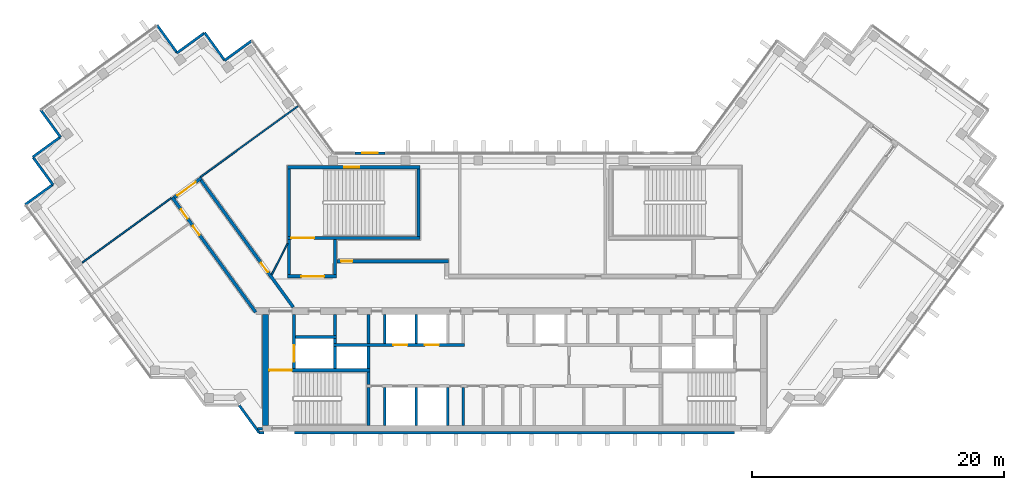
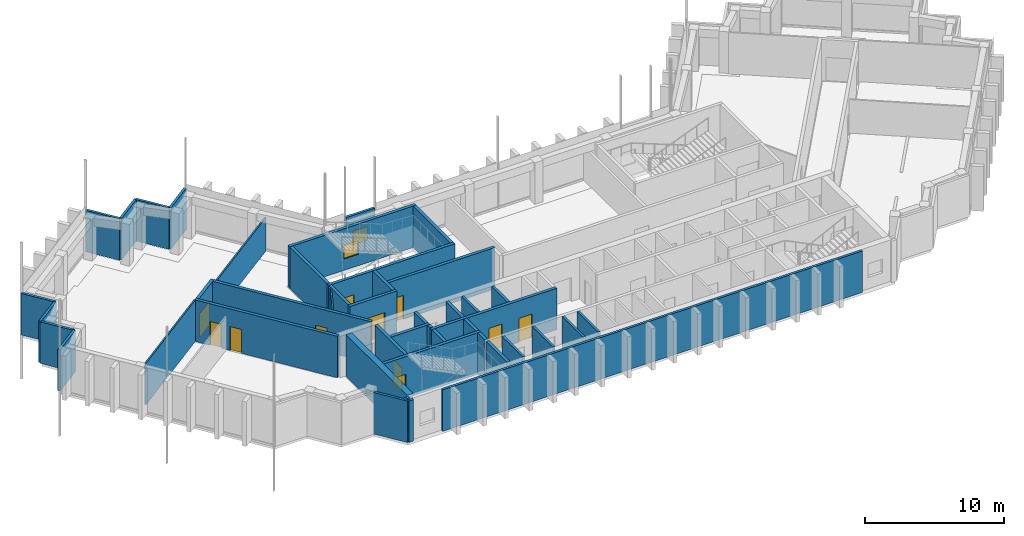
# One storey, part 8 of 14: 45 walls, 11 doors, 2 windows, 13 openings.
"""IFC4 building model written with IfcOpenShell, lengths in metres."""

from ifc_helpers import new_model, si_unit, direction, frame, frame_2d, origin, place, context, subcontext, project, spatial, rectangle, extrude, material, layer, layer_set, type_object, element, fill, save


model = new_model("IFC4")

# Units and contexts
model_context = context("Model", 3, precision=1e-05, world=origin(), true_north=direction((0.0, 1.0)))
body_context = subcontext(model_context, "Body", "Model", "MODEL_VIEW")
ifc_project = project(units=[si_unit("LENGTHUNIT", "METRE"), si_unit("AREAUNIT", "SQUARE_METRE"), si_unit("VOLUMEUNIT", "CUBIC_METRE"), si_unit("PLANEANGLEUNIT", "RADIAN"), si_unit("MASSUNIT", "GRAM", prefix="KILO")], contexts=[model_context])

# Site, building, storey
site_placement = place(None, origin())
site = spatial("IfcSite", under=ifc_project, at=site_placement, CompositionType="ELEMENT")
building_placement = place(site_placement, origin())
building = spatial("IfcBuilding", under=site, at=building_placement, Name="Quipu Civic Tower", CompositionType="ELEMENT")
storey_placement = place(building_placement, frame((0.0, 0.0, 323.0)))
storey = spatial("IfcBuildingStorey", under=building, at=storey_placement, Name="L75", CompositionType="ELEMENT", Elevation=323.0)

# Walls
ifc_material_1 = material(Name="Concrete C70/85", Category="concrete")
ifc_layer_1 = layer(ifc_material_1, 0.25)
ifc_layer_set_1 = layer_set([ifc_layer_1], Name="Concrete C70/85")
wall_type_1 = type_object("IfcWallType", Name="Core wall 250", PredefinedType="SHEAR", material=ifc_layer_set_1)
wall_1_placement = place(storey_placement, frame((-11.574951171875, -10.5, 0.0), z_axis=(0.0, 0.0, 1.0), x_axis=(0.0, 1.0, 0.0)))
element("IfcWall", 1, at=wall_1_placement, inside=storey, type_object=wall_type_1, Name="Core wall", PredefinedType="SHEAR", context=body_context, shape_type="SweptSolid", body=[
    extrude(rectangle(XDim=3.0, YDim=0.25, at=frame_2d((1.5, 0.0))), origin(), (0.0, 0.0, 1.0), 3.64990234375),
])
wall_2_placement = place(storey_placement, frame((-11.574951171875, -7.25, 0.0), z_axis=(0.0, 0.0, 1.0), x_axis=(0.0, 1.0, 0.0)))
element("IfcWall", 2, at=wall_2_placement, inside=storey, type_object=wall_type_1, Name="Core wall", PredefinedType="SHEAR", context=body_context, shape_type="SweptSolid", body=[
    extrude(rectangle(XDim=1.0, YDim=0.25, at=frame_2d((0.5, 0.0))), origin(), (0.0, 0.0, 1.0), 3.64990234375),
])

# Wall, opening, door
wall_3_placement = place(storey_placement, frame((-11.449951171875, -6.125, 0.0), z_axis=(0.0, 0.0, 1.0), x_axis=(-1.0, 0.0, 0.0)))
wall_3 = element("IfcWall", 3, at=wall_3_placement, inside=storey, type_object=wall_type_1, Name="Core wall", PredefinedType="SHEAR", context=body_context, shape_type="SweptSolid", body=[
    extrude(rectangle(XDim=8.050048828125, YDim=0.25, at=frame_2d((4.02490234375, 0.0))), origin(), (0.0, 0.0, 1.0), 3.64990234375),
])
opening_1_placement = place(wall_3_placement, frame((6.199951171875, 0.0, 0.0)))
opening_1 = element("IfcOpeningElement", 4, at=opening_1_placement, cuts=wall_3, Name="Opening CD-10", PredefinedType="OPENING", context=body_context, shape_type="SweptSolid", body=[
    extrude(rectangle(XDim=1.800048828125, YDim=2.10009765625, at=frame_2d((0.89990234375, 1.050048828125))), frame((0.0, 0.135009765625, 0.0), z_axis=(0.0, -1.0, 0.0), x_axis=(1.0, 0.0, 0.0)), (0.0, 0.0, 1.0), 0.27001953125),
])
ifc_material_2 = material(Name="Fire rated steel door", Category="steel")
door_type_1 = type_object("IfcDoorType", Name="Fire door FD90 double 1800 x 2100", OperationType="NOTDEFINED", PredefinedType="DOOR", material=ifc_material_2)
door_1_placement = place(opening_1_placement, origin())
door_1 = element("IfcDoor", 5, at=door_1_placement, inside=storey, type_object=door_type_1, Name="Door", OperationType="DOUBLE_DOOR_SINGLE_SWING", OverallHeight=2.10009765625, OverallWidth=1.800048828125, PredefinedType="DOOR", context=body_context, shape_type="SweptSolid", body=[
    extrude(rectangle(XDim=1.800048828125, YDim=2.10009765625, at=frame_2d((0.89990234375, 1.050048828125))), frame((0.0, 0.02490234375, 0.0), z_axis=(0.0, -1.0, 0.0), x_axis=(1.0, 0.0, 0.0)), (0.0, 0.0, 1.0), 0.050048828125),
])
fill(opening_1, door_1)

wall_4_placement = place(storey_placement, frame((-17.47509765625, -6.0, 0.0), z_axis=(0.0, 0.0, 1.0), x_axis=(0.0, 1.0, 0.0)))
wall_4 = element("IfcWall", 6, at=wall_4_placement, inside=storey, type_object=wall_type_1, Name="Core wall", PredefinedType="SHEAR", context=body_context, shape_type="SweptSolid", body=[
    extrude(rectangle(XDim=4.300048828125, YDim=0.25, at=frame_2d((2.14990234375, 0.0))), origin(), (0.0, 0.0, 1.0), 3.64990234375),
])
opening_2_placement = place(wall_4_placement, frame((0.550048828125, 0.0, 0.0)))
opening_2 = element("IfcOpeningElement", 7, at=opening_2_placement, cuts=wall_4, Name="Opening LD-FF1", PredefinedType="OPENING", context=body_context, shape_type="SweptSolid", body=[
    extrude(rectangle(XDim=1.300048828125, YDim=2.10009765625, at=frame_2d((0.64990234375, 1.050048828125))), frame((0.0, 0.135009765625, 0.0), z_axis=(0.0, -1.0, 0.0), x_axis=(1.0, 0.0, 0.0)), (0.0, 0.0, 1.0), 0.27001953125),
])
ifc_material_3 = material(Name="Stainless steel", Category="steel")
door_type_2 = type_object("IfcDoorType", Name="Lift landing door 1300 x 2100", OperationType="DOUBLE_DOOR_SLIDING", PredefinedType="DOOR", material=ifc_material_3)
door_2_placement = place(opening_2_placement, origin())
door_2 = element("IfcDoor", 8, at=door_2_placement, inside=storey, type_object=door_type_2, Name="Landing door FF1", OperationType="DOUBLE_DOOR_SLIDING", OverallHeight=2.10009765625, OverallWidth=1.300048828125, PredefinedType="DOOR", context=body_context, shape_type="SweptSolid", body=[
    extrude(rectangle(XDim=1.300048828125, YDim=2.10009765625, at=frame_2d((0.64990234375, 1.050048828125))), frame((0.0, 0.02490234375, 0.0), z_axis=(0.0, -1.0, 0.0), x_axis=(1.0, 0.0, 0.0)), (0.0, 0.0, 1.0), 0.050048828125),
])
fill(opening_2, door_2)

# Walls
for number, where, z_axis, x_axis, name in (
    (9, (-14.22509765625, -6.0, 0.0), (0.0, 0.0, 1.0), (0.0, 1.0, 0.0), "Core wall"),
    (10, (-11.574951171875, -6.0, 0.0), (0.0, 0.0, 1.0), (0.0, 1.0, 0.0), "Core wall"),
):
    element("IfcWall", number, at=place(storey_placement, frame(where, z_axis=z_axis, x_axis=x_axis)), inside=storey, type_object=wall_type_1, Name=name, PredefinedType="SHEAR", context=body_context, shape_type="SweptSolid", body=[
        extrude(rectangle(XDim=1.75, YDim=0.25, at=frame_2d((0.875, 0.0))), origin(), (0.0, 0.0, 1.0), 3.64990234375),
    ])

# Wall, openings, doors
wall_5_placement = place(storey_placement, frame((-14.35009765625, -4.125, 0.0), z_axis=(0.0, 0.0, 1.0), x_axis=(1.0, 0.0, 0.0)))
wall_5 = element("IfcWall", 11, at=wall_5_placement, inside=storey, type_object=wall_type_1, Name="Core wall", PredefinedType="SHEAR", context=body_context, shape_type="SweptSolid", body=[
    extrude(rectangle(XDim=10.400146484375, YDim=0.25, at=frame_2d((5.2001953125, 0.0))), origin(), (0.0, 0.0, 1.0), 3.64990234375),
])
opening_3_placement = place(wall_5_placement, frame((4.75, 0.0, 0.0)))
opening_3 = element("IfcOpeningElement", 12, at=opening_3_placement, cuts=wall_5, Name="Opening LD-HL3", PredefinedType="OPENING", context=body_context, shape_type="SweptSolid", body=[
    extrude(rectangle(XDim=1.10009765625, YDim=2.10009765625, at=frame_2d((0.550048828125, 1.050048828125))), frame((0.0, 0.135009765625, 0.0), z_axis=(0.0, -1.0, 0.0), x_axis=(1.0, 0.0, 0.0)), (0.0, 0.0, 1.0), 0.27001953125),
])
opening_4_placement = place(wall_5_placement, frame((7.25, 0.0, 0.0)))
opening_4 = element("IfcOpeningElement", 13, at=opening_4_placement, cuts=wall_5, Name="Opening LD-HL4", PredefinedType="OPENING", context=body_context, shape_type="SweptSolid", body=[
    extrude(rectangle(XDim=1.10009765625, YDim=2.10009765625, at=frame_2d((0.550048828125, 1.050048828125))), frame((0.0, 0.135009765625, 0.0), z_axis=(0.0, -1.0, 0.0), x_axis=(1.0, 0.0, 0.0)), (0.0, 0.0, 1.0), 0.27001953125),
])
ifc_material_4 = material(Name="Stainless steel", Category="steel")
door_type_3 = type_object("IfcDoorType", Name="Lift landing door 1100 x 2100", OperationType="DOUBLE_DOOR_SLIDING", PredefinedType="DOOR", material=ifc_material_4)
door_3_placement = place(opening_3_placement, origin())
door_3 = element("IfcDoor", 14, at=door_3_placement, inside=storey, type_object=door_type_3, Name="Landing door HL3", OperationType="DOUBLE_DOOR_SLIDING", OverallHeight=2.10009765625, OverallWidth=1.10009765625, PredefinedType="DOOR", context=body_context, shape_type="SweptSolid", body=[
    extrude(rectangle(XDim=1.10009765625, YDim=2.10009765625, at=frame_2d((0.550048828125, 1.050048828125))), frame((0.0, 0.02490234375, 0.0), z_axis=(0.0, -1.0, 0.0), x_axis=(1.0, 0.0, 0.0)), (0.0, 0.0, 1.0), 0.050048828125),
])
fill(opening_3, door_3)
door_4_placement = place(opening_4_placement, origin())
door_4 = element("IfcDoor", 15, at=door_4_placement, inside=storey, type_object=door_type_3, Name="Landing door HL4", OperationType="DOUBLE_DOOR_SLIDING", OverallHeight=2.10009765625, OverallWidth=1.10009765625, PredefinedType="DOOR", context=body_context, shape_type="SweptSolid", body=[
    extrude(rectangle(XDim=1.10009765625, YDim=2.10009765625, at=frame_2d((0.550048828125, 1.050048828125))), frame((0.0, 0.02490234375, 0.0), z_axis=(0.0, -1.0, 0.0), x_axis=(1.0, 0.0, 0.0)), (0.0, 0.0, 1.0), 0.050048828125),
])
fill(opening_4, door_4)

# Walls
wall_6_placement = place(storey_placement, frame((-14.22509765625, -4.0, 0.0), z_axis=(0.0, 0.0, 1.0), x_axis=(0.0, 1.0, 0.0)))
element("IfcWall", 16, at=wall_6_placement, inside=storey, type_object=wall_type_1, Name="Core wall", PredefinedType="SHEAR", context=body_context, shape_type="SweptSolid", body=[
    extrude(rectangle(XDim=0.39990234375, YDim=0.25, at=frame_2d((0.199951171875, 0.0))), origin(), (0.0, 0.0, 1.0), 3.64990234375),
])
wall_7_placement = place(storey_placement, frame((-11.574951171875, -4.0, 0.0), z_axis=(0.0, 0.0, 1.0), x_axis=(0.0, 1.0, 0.0)))
element("IfcWall", 17, at=wall_7_placement, inside=storey, type_object=wall_type_1, Name="Core wall", PredefinedType="SHEAR", context=body_context, shape_type="SweptSolid", body=[
    extrude(rectangle(XDim=2.300048828125, YDim=0.25, at=frame_2d((1.14990234375, 0.0))), origin(), (0.0, 0.0, 1.0), 3.64990234375),
])
wall_8_placement = place(storey_placement, frame((-17.35009765625, -3.47509765625, 0.0), z_axis=(0.0, 0.0, 1.0), x_axis=(1.0, 0.0, 0.0)))
element("IfcWall", 18, at=wall_8_placement, inside=storey, type_object=wall_type_1, Name="Core wall", PredefinedType="SHEAR", context=body_context, shape_type="SweptSolid", body=[
    extrude(rectangle(XDim=3.25, YDim=0.25, at=frame_2d((1.625, 0.0))), origin(), (0.0, 0.0, 1.0), 3.64990234375),
])
wall_9_placement = place(storey_placement, frame((-14.22509765625, -3.35009765625, 0.0), z_axis=(0.0, 0.0, 1.0), x_axis=(0.0, 1.0, 0.0)))
element("IfcWall", 19, at=wall_9_placement, inside=storey, type_object=wall_type_1, Name="Core wall", PredefinedType="SHEAR", context=body_context, shape_type="SweptSolid", body=[
    extrude(rectangle(XDim=1.650146484375, YDim=0.25, at=frame_2d((0.8251953125, 0.0))), origin(), (0.0, 0.0, 1.0), 3.64990234375),
])

# Wall, opening, door
wall_10_placement = place(storey_placement, frame((-18.0, 1.324951171875, 0.0), z_axis=(0.0, 0.0, 1.0), x_axis=(1.0, 0.0, 0.0)))
wall_10 = element("IfcWall", 20, at=wall_10_placement, inside=storey, type_object=wall_type_1, Name="Core wall", PredefinedType="SHEAR", context=body_context, shape_type="SweptSolid", body=[
    extrude(rectangle(XDim=3.89990234375, YDim=0.25, at=frame_2d((1.949951171875, 0.0))), origin(), (0.0, 0.0, 1.0), 3.64990234375),
])
opening_5_placement = place(wall_10_placement, frame((1.10009765625, 0.0, 0.0)))
opening_5 = element("IfcOpeningElement", 21, at=opening_5_placement, cuts=wall_10, Name="Opening CD-28", PredefinedType="OPENING", context=body_context, shape_type="SweptSolid", body=[
    extrude(rectangle(XDim=1.800048828125, YDim=2.10009765625, at=frame_2d((0.89990234375, 1.050048828125))), frame((0.0, 0.135009765625, 0.0), z_axis=(0.0, -1.0, 0.0), x_axis=(1.0, 0.0, 0.0)), (0.0, 0.0, 1.0), 0.27001953125),
])
door_5_placement = place(opening_5_placement, origin())
door_5 = element("IfcDoor", 22, at=door_5_placement, inside=storey, type_object=door_type_1, Name="Lobby door", OperationType="DOUBLE_DOOR_SINGLE_SWING", OverallHeight=2.10009765625, OverallWidth=1.800048828125, PredefinedType="DOOR", context=body_context, shape_type="SweptSolid", body=[
    extrude(rectangle(XDim=1.800048828125, YDim=2.10009765625, at=frame_2d((0.89990234375, 1.050048828125))), frame((0.0, 0.02490234375, 0.0), z_axis=(0.0, -1.0, 0.0), x_axis=(1.0, 0.0, 0.0)), (0.0, 0.0, 1.0), 0.050048828125),
])
fill(opening_5, door_5)

# Walls
for number, where, z_axis, x_axis, name in (
    (23, (-17.875, 1.449951171875, 0.0), (0.0, 0.0, 1.0), (0.0, 1.0, 0.0), "Core wall"),
    (24, (-14.22509765625, 1.449951171875, 0.0), (0.0, 0.0, 1.0), (0.0, 1.0, 0.0), "Core wall"),
):
    element("IfcWall", number, at=place(storey_placement, frame(where, z_axis=z_axis, x_axis=x_axis)), inside=storey, type_object=wall_type_1, Name=name, PredefinedType="SHEAR", context=body_context, shape_type="SweptSolid", body=[
        extrude(rectangle(XDim=2.800048828125, YDim=0.25, at=frame_2d((1.39990234375, 0.0))), origin(), (0.0, 0.0, 1.0), 3.64990234375),
    ])

# Wall, opening, door
wall_11_placement = place(storey_placement, frame((-18.0, 4.375, 0.0), z_axis=(0.0, 0.0, 1.0), x_axis=(1.0, 0.0, 0.0)))
wall_11 = element("IfcWall", 25, at=wall_11_placement, inside=storey, type_object=wall_type_1, Name="Core wall", PredefinedType="SHEAR", context=body_context, shape_type="SweptSolid", body=[
    extrude(rectangle(XDim=10.5, YDim=0.25, at=frame_2d((5.25, 0.0))), origin(), (0.0, 0.0, 1.0), 3.64990234375),
])
opening_6_placement = place(wall_11_placement, frame((0.300048828125, 0.0, 0.0)))
opening_6 = element("IfcOpeningElement", 26, at=opening_6_placement, cuts=wall_11, Name="Opening CD-29", PredefinedType="OPENING", context=body_context, shape_type="SweptSolid", body=[
    extrude(rectangle(XDim=1.800048828125, YDim=2.10009765625, at=frame_2d((0.89990234375, 1.050048828125))), frame((0.0, 0.135009765625, 0.0), z_axis=(0.0, -1.0, 0.0), x_axis=(1.0, 0.0, 0.0)), (0.0, 0.0, 1.0), 0.27001953125),
])
door_6_placement = place(opening_6_placement, origin())
door_6 = element("IfcDoor", 27, at=door_6_placement, inside=storey, type_object=door_type_1, Name="Door", OperationType="DOUBLE_DOOR_SINGLE_SWING", OverallHeight=2.10009765625, OverallWidth=1.800048828125, PredefinedType="DOOR", context=body_context, shape_type="SweptSolid", body=[
    extrude(rectangle(XDim=1.800048828125, YDim=2.10009765625, at=frame_2d((0.89990234375, 1.050048828125))), frame((0.0, 0.02490234375, 0.0), z_axis=(0.0, -1.0, 0.0), x_axis=(1.0, 0.0, 0.0)), (0.0, 0.0, 1.0), 0.050048828125),
])
fill(opening_6, door_6)

# Walls
for number, where, z_axis, x_axis, name in (
    (28, (-17.875, 4.5, 0.0), (0.0, 0.0, 1.0), (0.0, 1.0, 0.0), "Core wall"),
    (29, (-7.625, 4.5, 0.0), (0.0, 0.0, 1.0), (0.0, 1.0, 0.0), "Core wall"),
):
    element("IfcWall", number, at=place(storey_placement, frame(where, z_axis=z_axis, x_axis=x_axis)), inside=storey, type_object=wall_type_1, Name=name, PredefinedType="SHEAR", context=body_context, shape_type="SweptSolid", body=[
        extrude(rectangle(XDim=5.35009765625, YDim=0.25, at=frame_2d((2.675048828125, 0.0))), origin(), (0.0, 0.0, 1.0), 3.64990234375),
    ])

# Wall, opening, window
wall_12_placement = place(storey_placement, frame((-18.0, 9.97509765625, 0.0), z_axis=(0.0, 0.0, 1.0), x_axis=(1.0, 0.0, 0.0)))
wall_12 = element("IfcWall", 30, at=wall_12_placement, inside=storey, type_object=wall_type_1, Name="Core wall", PredefinedType="SHEAR", context=body_context, shape_type="SweptSolid", body=[
    extrude(rectangle(XDim=10.5, YDim=0.25, at=frame_2d((5.25, 0.0))), origin(), (0.0, 0.0, 1.0), 3.64990234375),
])
opening_7_placement = place(wall_12_placement, frame((4.5, 0.0, 1.0)))
opening_7 = element("IfcOpeningElement", 31, at=opening_7_placement, cuts=wall_12, Name="Opening SV-3", PredefinedType="OPENING", context=body_context, shape_type="SweptSolid", body=[
    extrude(rectangle(XDim=1.199951171875, YDim=1.199951171875, at=frame_2d((0.60009765625, 0.60009765625))), frame((0.0, 0.135009765625, 0.0), z_axis=(0.0, -1.0, 0.0), x_axis=(1.0, 0.0, 0.0)), (0.0, 0.0, 1.0), 0.27001953125),
])
ifc_material_5 = material(Name="Aluminium louvre", Category="aluminium")
window_type_1 = type_object("IfcWindowType", Name="Stair ventilation louvre 1200 x 1200", PartitioningType="SINGLE_PANEL", PredefinedType="WINDOW", material=ifc_material_5)
window_1_placement = place(opening_7_placement, origin())
window_1 = element("IfcWindow", 32, at=window_1_placement, inside=storey, type_object=window_type_1, Name="Stair ventilation opening", OverallHeight=1.199951171875, OverallWidth=1.199951171875, PartitioningType="SINGLE_PANEL", PredefinedType="WINDOW", context=body_context, shape_type="SweptSolid", body=[
    extrude(rectangle(XDim=1.199951171875, YDim=1.199951171875, at=frame_2d((0.60009765625, 0.60009765625))), frame((0.0, 0.030029296875, 0.0), z_axis=(0.0, -1.0, 0.0), x_axis=(1.0, 0.0, 0.0)), (0.0, 0.0, 1.0), 0.06005859375),
])
fill(opening_7, window_1)

# Wall
ifc_material_6 = material(Name="Concrete C70/85", Category="concrete")
ifc_layer_2 = layer(ifc_material_6, 0.5)
ifc_layer_set_2 = layer_set([ifc_layer_2], Name="Concrete C70/85")
wall_type_2 = type_object("IfcWallType", Name="Core wall 500", PredefinedType="SHEAR", material=ifc_layer_set_2)
wall_13_placement = place(storey_placement, frame((-19.75, -10.5, 0.0), z_axis=(0.0, 0.0, 1.0), x_axis=(0.0, 1.0, 0.0)))
element("IfcWall", 33, at=wall_13_placement, inside=storey, type_object=wall_type_2, Name="Core wall", PredefinedType="SHEAR", context=body_context, shape_type="SweptSolid", body=[
    extrude(rectangle(XDim=8.800048828125, YDim=0.5, at=frame_2d((4.39990234375, 0.0))), origin(), (0.0, 0.0, 1.0), 3.64990234375),
])

# Wall, openings, doors
ifc_material_7 = material(Name="Concrete C50/60", Category="concrete")
ifc_layer_3 = layer(ifc_material_7, 0.25)
ifc_layer_set_3 = layer_set([ifc_layer_3], Name="Concrete C50/60")
wall_type_3 = type_object("IfcWallType", Name="Corridor wall 250 concrete", PredefinedType="SOLIDWALL", material=ifc_layer_set_3)
wall_14_placement = place(storey_placement, frame((-20.531005859375, -1.5234375, 0.0), z_axis=(0.0, 0.0, 1.0), x_axis=(-0.587782646447, 0.809018887626, 0.0)))
wall_14 = element("IfcWall", 34, at=wall_14_placement, inside=storey, type_object=wall_type_3, Name="Corridor wall C04", PredefinedType="SOLIDWALL", context=body_context, shape_type="SweptSolid", body=[
    extrude(rectangle(XDim=11.270263671875, YDim=0.25, at=frame_2d((5.63525390625, 0.0))), origin(), (0.0, 0.0, 1.0), 3.64990234375),
])
opening_8_placement = place(wall_14_placement, frame((7.56591796875, 0.0, 0.0)))
opening_8 = element("IfcOpeningElement", 35, at=opening_8_placement, cuts=wall_14, Name="Opening D010", PredefinedType="OPENING", context=body_context, shape_type="SweptSolid", body=[
    extrude(rectangle(XDim=0.89990234375, YDim=2.10009765625, at=frame_2d((0.449951171875, 1.050048828125))), frame((0.0, 0.135009765625, 0.0), z_axis=(0.0, -1.0, 0.0), x_axis=(1.0, 0.0, 0.0)), (0.0, 0.0, 1.0), 0.27001953125),
])
opening_9_placement = place(wall_14_placement, frame((9.165283203125, 0.0, 0.0)))
opening_9 = element("IfcOpeningElement", 36, at=opening_9_placement, cuts=wall_14, Name="Opening D009", PredefinedType="OPENING", context=body_context, shape_type="SweptSolid", body=[
    extrude(rectangle(XDim=0.89990234375, YDim=2.10009765625, at=frame_2d((0.449951171875, 1.050048828125))), frame((0.0, 0.135009765625, 0.0), z_axis=(0.0, -1.0, 0.0), x_axis=(1.0, 0.0, 0.0)), (0.0, 0.0, 1.0), 0.27001953125),
])
ifc_material_8 = material(Name="Fire rated timber door set with metal frame", Category="wood")
door_type_4 = type_object("IfcDoorType", Name="Single door 900 x 2100 FD60", OperationType="NOTDEFINED", PredefinedType="DOOR", material=ifc_material_8)
door_7_placement = place(opening_8_placement, origin())
door_7 = element("IfcDoor", 37, at=door_7_placement, inside=storey, type_object=door_type_4, Name="Door D010", OperationType="SINGLE_SWING_RIGHT", OverallHeight=2.10009765625, OverallWidth=0.89990234375, PredefinedType="DOOR", context=body_context, shape_type="SweptSolid", body=[
    extrude(rectangle(XDim=0.89990234375, YDim=2.10009765625, at=frame_2d((0.449951171875, 1.050048828125))), frame((0.0, 0.02490234375, 0.0), z_axis=(0.0, -1.0, 0.0), x_axis=(1.0, 0.0, 0.0)), (0.0, 0.0, 1.0), 0.050048828125),
])
fill(opening_8, door_7)
door_8_placement = place(opening_9_placement, origin())
door_8 = element("IfcDoor", 38, at=door_8_placement, inside=storey, type_object=door_type_4, Name="Door D009", OperationType="SINGLE_SWING_LEFT", OverallHeight=2.10009765625, OverallWidth=0.89990234375, PredefinedType="DOOR", context=body_context, shape_type="SweptSolid", body=[
    extrude(rectangle(XDim=0.89990234375, YDim=2.10009765625, at=frame_2d((0.449951171875, 1.050048828125))), frame((0.0, 0.02490234375, 0.0), z_axis=(0.0, -1.0, 0.0), x_axis=(1.0, 0.0, 0.0)), (0.0, 0.0, 1.0), 0.050048828125),
])
fill(opening_9, door_8)

# Wall, opening, door
wall_15_placement = place(storey_placement, frame((-26.98095703125, 7.56689453125, 0.0), z_axis=(0.0, 0.0, 1.0), x_axis=(0.809038743598, 0.587755315891, 0.0)))
wall_15 = element("IfcWall", 39, at=wall_15_placement, inside=storey, type_object=wall_type_3, Name="Corridor wall C05", PredefinedType="SOLIDWALL", context=body_context, shape_type="SweptSolid", body=[
    extrude(rectangle(XDim=2.650146484375, YDim=0.25, at=frame_2d((1.3251953125, 0.0))), origin(), (0.0, 0.0, 1.0), 3.64990234375),
])
opening_10_placement = place(wall_15_placement, frame((0.299560546875, 0.0, 0.0)))
opening_10 = element("IfcOpeningElement", 40, at=opening_10_placement, cuts=wall_15, Name="Opening D011", PredefinedType="OPENING", context=body_context, shape_type="SweptSolid", body=[
    extrude(rectangle(XDim=1.800048828125, YDim=2.10009765625, at=frame_2d((0.89990234375, 1.050048828125))), frame((0.0, 0.135009765625, 0.0), z_axis=(0.0, -1.0, 0.0), x_axis=(1.0, 0.0, 0.0)), (0.0, 0.0, 1.0), 0.27001953125),
])
ifc_material_9 = material(Name="Fire rated timber door set with metal frame", Category="wood")
door_type_5 = type_object("IfcDoorType", Name="Double door 1800 x 2100 FD60", OperationType="DOUBLE_DOOR_SINGLE_SWING", PredefinedType="DOOR", material=ifc_material_9)
door_9_placement = place(opening_10_placement, origin())
door_9 = element("IfcDoor", 41, at=door_9_placement, inside=storey, type_object=door_type_5, Name="Door D011", OperationType="DOUBLE_DOOR_SINGLE_SWING", OverallHeight=2.10009765625, OverallWidth=1.800048828125, PredefinedType="DOOR", context=body_context, shape_type="SweptSolid", body=[
    extrude(rectangle(XDim=1.800048828125, YDim=2.10009765625, at=frame_2d((0.89990234375, 1.050048828125))), frame((0.0, 0.02490234375, 0.0), z_axis=(0.0, -1.0, 0.0), x_axis=(1.0, 0.0, 0.0)), (0.0, 0.0, 1.0), 0.050048828125),
])
fill(opening_10, door_9)

wall_16_placement = place(storey_placement, frame((-24.86474609375, 8.949951171875, 0.0), z_axis=(0.0, 0.0, 1.0), x_axis=(0.587791617212, -0.809012369952, 0.0)))
wall_16 = element("IfcWall", 42, at=wall_16_placement, inside=storey, type_object=wall_type_3, Name="Corridor wall C06", PredefinedType="SOLIDWALL", context=body_context, shape_type="SweptSolid", body=[
    extrude(rectangle(XDim=12.453125, YDim=0.25, at=frame_2d((6.2265625, 0.0))), origin(), (0.0, 0.0, 1.0), 3.64990234375),
])
opening_11_placement = place(wall_16_placement, frame((8.111572265625, 0.0, 0.0)))
opening_11 = element("IfcOpeningElement", 43, at=opening_11_placement, cuts=wall_16, Name="Opening D008", PredefinedType="OPENING", context=body_context, shape_type="SweptSolid", body=[
    extrude(rectangle(XDim=0.89990234375, YDim=2.10009765625, at=frame_2d((0.449951171875, 1.050048828125))), frame((0.0, 0.135009765625, 0.0), z_axis=(0.0, -1.0, 0.0), x_axis=(1.0, 0.0, 0.0)), (0.0, 0.0, 1.0), 0.27001953125),
])
door_10_placement = place(opening_11_placement, origin())
door_10 = element("IfcDoor", 44, at=door_10_placement, inside=storey, type_object=door_type_4, Name="Door D008", OperationType="SINGLE_SWING_RIGHT", OverallHeight=2.10009765625, OverallWidth=0.89990234375, PredefinedType="DOOR", context=body_context, shape_type="SweptSolid", body=[
    extrude(rectangle(XDim=0.89990234375, YDim=2.10009765625, at=frame_2d((0.449951171875, 1.050048828125))), frame((0.0, 0.02490234375, 0.0), z_axis=(0.0, -1.0, 0.0), x_axis=(1.0, 0.0, 0.0)), (0.0, 0.0, 1.0), 0.050048828125),
])
fill(opening_11, door_10)

wall_17_placement = place(storey_placement, frame((-14.090087890625, 2.52490234375, 0.0), z_axis=(0.0, 0.0, 1.0), x_axis=(1.0, 0.0, 0.0)))
wall_17 = element("IfcWall", 45, at=wall_17_placement, inside=storey, type_object=wall_type_3, Name="Corridor wall C07", PredefinedType="SOLIDWALL", context=body_context, shape_type="SweptSolid", body=[
    extrude(rectangle(XDim=8.840087890625, YDim=0.25, at=frame_2d((4.419921875, 0.0))), origin(), (0.0, 0.0, 1.0), 3.64990234375),
])
opening_12_placement = place(wall_17_placement, frame((0.340087890625, 0.0, 0.0)))
opening_12 = element("IfcOpeningElement", 46, at=opening_12_placement, cuts=wall_17, Name="Opening D005", PredefinedType="OPENING", context=body_context, shape_type="SweptSolid", body=[
    extrude(rectangle(XDim=0.89990234375, YDim=2.10009765625, at=frame_2d((0.449951171875, 1.050048828125))), frame((0.0, 0.135009765625, 0.0), z_axis=(0.0, -1.0, 0.0), x_axis=(1.0, 0.0, 0.0)), (0.0, 0.0, 1.0), 0.27001953125),
])
door_11_placement = place(opening_12_placement, origin())
door_11 = element("IfcDoor", 47, at=door_11_placement, inside=storey, type_object=door_type_4, Name="Door D005", OperationType="SINGLE_SWING_LEFT", OverallHeight=2.10009765625, OverallWidth=0.89990234375, PredefinedType="DOOR", context=body_context, shape_type="SweptSolid", body=[
    extrude(rectangle(XDim=0.89990234375, YDim=2.10009765625, at=frame_2d((0.449951171875, 1.050048828125))), frame((0.0, 0.02490234375, 0.0), z_axis=(0.0, -1.0, 0.0), x_axis=(1.0, 0.0, 0.0)), (0.0, 0.0, 1.0), 0.050048828125),
])
fill(opening_12, door_11)

# Walls
ifc_material_10 = material(Name="Gypsum plasterboard on light gauge framing")
ifc_layer_4 = layer(ifc_material_10, 0.1201171875)
ifc_layer_set_4 = layer_set([ifc_layer_4], Name="Gypsum plasterboard on light gauge framing")
wall_type_4 = type_object("IfcWallType", Name="Partition 120 plasterboard", PredefinedType="PARTITIONING", material=ifc_layer_set_4)
wall_18_placement = place(storey_placement, frame((-17.17236328125, 14.822509765625, 0.0), z_axis=(0.0, 0.0, 1.0), x_axis=(-0.809013490065, -0.587790075531, 0.0)))
element("IfcWall", 48, at=wall_18_placement, inside=storey, type_object=wall_type_4, Name="Partition P05", PredefinedType="PARTITIONING", context=body_context, shape_type="SweptSolid", body=[
    extrude(rectangle(XDim=9.54931640625, YDim=0.1201171875, at=frame_2d((4.774658203125, 0.0))), origin(), (0.0, 0.0, 1.0), 2.949951171875),
])
wall_19_placement = place(storey_placement, frame((-34.291015625, 2.41015625, 0.0), z_axis=(0.0, 0.0, 1.0), x_axis=(0.809027940177, 0.587770186393, 0.0)))
element("IfcWall", 49, at=wall_19_placement, inside=storey, type_object=wall_type_4, Name="Partition P07", PredefinedType="PARTITIONING", context=body_context, shape_type="SweptSolid", body=[
    extrude(rectangle(XDim=8.71484375, YDim=0.1201171875, at=frame_2d((4.357421875, 0.0))), origin(), (0.0, 0.0, 1.0), 3.64990234375),
])
wall_20_placement = place(storey_placement, frame((-19.260986328125, 1.449951171875, 0.0), z_axis=(0.0, 0.0, 1.0), x_axis=(0.453950796792, 0.891026752736, 0.0)))
element("IfcWall", 50, at=wall_20_placement, inside=storey, type_object=wall_type_4, Name="Partition P10", PredefinedType="PARTITIONING", context=body_context, shape_type="SweptSolid", body=[
    extrude(rectangle(XDim=2.77783203125, YDim=0.1201171875, at=frame_2d((1.388916015625, 0.0))), origin(), (0.0, 0.0, 1.0), 3.64990234375),
])
ifc_material_11 = material(Name="Precast concrete C40/50", Category="concrete")
wall_type_5 = type_object("IfcWallType", Name="Precast cladding wall", PredefinedType="SOLIDWALL", material=ifc_material_11)
for number, where, z_axis, x_axis, name in (
    (51, (-20.828857421875, 20.025390625, 0.0), (0.0, 0.0, 1.0), (-0.808990163075, -0.587822180636, 0.0), "Precast cladding wall L75 P05"),
    (52, (-22.996337890625, 18.465576171875, 0.0), (0.0, 0.0, 1.0), (-0.587762999008, 0.809033161865, 0.0), "Precast cladding wall L75 P06"),
):
    element("IfcWall", number, at=place(storey_placement, frame(where, z_axis=z_axis, x_axis=x_axis)), inside=storey, type_object=wall_type_5, Name=name, PredefinedType="SOLIDWALL", context=body_context, shape_type="SweptSolid", body=[
        extrude(rectangle(XDim=2.699951171875, YDim=0.199951171875, at=frame_2d((1.35009765625, 0.0))), origin(), (0.0, 0.0, 1.0), 3.64990234375),
    ])
for number, where, z_axis, x_axis, name in (
    (53, (-24.60009765625, 20.62255859375, 0.0), (0.0, 0.0, 1.0), (-0.809064397168, -0.587720002413, 0.0), "Precast cladding wall L75 P07"),
    (54, (-26.767578125, 19.062744140625, 0.0), (0.0, 0.0, 1.0), (-0.587720002413, 0.809064397168, 0.0), "Precast cladding wall L75 P08"),
):
    element("IfcWall", number, at=place(storey_placement, frame(where, z_axis=z_axis, x_axis=x_axis)), inside=storey, type_object=wall_type_5, Name=name, PredefinedType="SOLIDWALL", context=body_context, shape_type="SweptSolid", body=[
        extrude(rectangle(XDim=2.7001953125, YDim=0.199951171875, at=frame_2d((1.35009765625, 0.0))), origin(), (0.0, 0.0, 1.0), 3.64990234375),
    ])
for number, where, z_axis, x_axis, name in (
    (55, (-37.591796875, 14.535888671875, 0.0), (0.0, 0.0, 1.0), (0.587762999008, -0.809033161865, 0.0), "Precast cladding wall L75 P10"),
    (56, (-36.031982421875, 12.36865234375, 0.0), (0.0, 0.0, 1.0), (-0.809033161865, -0.587762999008, 0.0), "Precast cladding wall L75 P11"),
    (57, (-38.189208984375, 10.7646484375, 0.0), (0.0, 0.0, 1.0), (0.587822180636, -0.808990163075, 0.0), "Precast cladding wall L75 P12"),
    (58, (-36.62939453125, 8.597412109375, 0.0), (0.0, 0.0, 1.0), (-0.809033161865, -0.587762999008, 0.0), "Precast cladding wall L75 P13"),
):
    element("IfcWall", number, at=place(storey_placement, frame(where, z_axis=z_axis, x_axis=x_axis)), inside=storey, type_object=wall_type_5, Name=name, PredefinedType="SOLIDWALL", context=body_context, shape_type="SweptSolid", body=[
        extrude(rectangle(XDim=2.699951171875, YDim=0.199951171875, at=frame_2d((1.35009765625, 0.0))), origin(), (0.0, 0.0, 1.0), 3.64990234375),
    ])
wall_21_placement = place(storey_placement, frame((-21.8330078125, -8.90869140625, 0.0), z_axis=(0.0, 0.0, 1.0), x_axis=(0.587766567315, -0.809030569476, 0.0)))
element("IfcWall", 59, at=wall_21_placement, inside=storey, type_object=wall_type_5, Name="Precast cladding wall L75 P18", PredefinedType="SOLIDWALL", context=body_context, shape_type="SweptSolid", body=[
    extrude(rectangle(XDim=2.687744140625, YDim=0.199951171875, at=frame_2d((1.34375, 0.0))), origin(), (0.0, 0.0, 1.0), 3.64990234375),
])
wall_22_placement = place(storey_placement, frame((-20.255859375, -11.087890625, 0.0), z_axis=(0.0, 0.0, 1.0), x_axis=(1.0, 0.0, 0.0)))
element("IfcWall", 60, at=wall_22_placement, inside=storey, type_object=wall_type_5, Name="Precast cladding wall L75 P19", PredefinedType="SOLIDWALL", context=body_context, shape_type="SweptSolid", body=[
    extrude(rectangle(XDim=0.40576171875, YDim=0.199951171875, at=frame_2d((0.202880859375, 0.0))), origin(), (0.0, 0.0, 1.0), 3.64990234375),
])
wall_23_placement = place(storey_placement, frame((-17.44384765625, -11.087890625, 0.0), z_axis=(0.0, 0.0, 1.0), x_axis=(1.0, 0.0, 0.0)))
element("IfcWall", 61, at=wall_23_placement, inside=storey, type_object=wall_type_5, Name="Precast cladding wall L75 P20", PredefinedType="SOLIDWALL", context=body_context, shape_type="SweptSolid", body=[
    extrude(rectangle(XDim=34.8876953125, YDim=0.199951171875, at=frame_2d((17.44384765625, 0.0))), origin(), (0.0, 0.0, 1.0), 3.64990234375),
])

# Wall, opening, window
wall_24_placement = place(storey_placement, frame((-10.263427734375, 11.10009765625, 0.0), z_axis=(0.0, 0.0, 1.0), x_axis=(-1.0, 0.0, 0.0)))
wall_24 = element("IfcWall", 62, at=wall_24_placement, inside=storey, type_object=wall_type_5, Name="Vent surround SF-L74-1", PredefinedType="SOLIDWALL", context=body_context, shape_type="SweptSolid", body=[
    extrude(rectangle(XDim=2.3916015625, YDim=0.199951171875, at=frame_2d((1.19580078125, 0.0))), origin(), (0.0, 0.0, 1.0), 3.64990234375),
])
opening_13_placement = place(wall_24_placement, frame((0.595703125, 0.0, 1.0)))
opening_13 = element("IfcOpeningElement", 63, at=opening_13_placement, cuts=wall_24, Name="Opening SF-L74-1", PredefinedType="OPENING", context=body_context, shape_type="SweptSolid", body=[
    extrude(rectangle(XDim=1.199951171875, YDim=1.199951171875, at=frame_2d((0.60009765625, 0.60009765625))), frame((0.0, 0.10986328125, 0.0), z_axis=(0.0, -1.0, 0.0), x_axis=(1.0, 0.0, 0.0)), (0.0, 0.0, 1.0), 0.219970703125),
])
ifc_material_12 = material(Name="Anodised aluminium louvre", Category="aluminium")
window_type_2 = type_object("IfcWindowType", Name="Stair vent louvre window P3", PartitioningType="SINGLE_PANEL", PredefinedType="WINDOW", material=ifc_material_12)
window_2_placement = place(opening_13_placement, origin())
window_2 = element("IfcWindow", 64, at=window_2_placement, inside=storey, type_object=window_type_2, Name="Stair vent louvre SF-L74-1", OverallHeight=1.199951171875, OverallWidth=1.199951171875, PartitioningType="SINGLE_PANEL", PredefinedType="WINDOW", context=body_context, shape_type="SweptSolid", body=[
    extrude(rectangle(XDim=1.199951171875, YDim=1.199951171875, at=frame_2d((0.60009765625, 0.60009765625))), frame((0.0, 0.030029296875, 0.0), z_axis=(0.0, -1.0, 0.0), x_axis=(1.0, 0.0, 0.0)), (0.0, 0.0, 1.0), 0.06005859375),
])
fill(opening_13, window_2)

# Walls
wall_25_placement = place(storey_placement, frame((-19.97998046875, -10.75, 0.0), z_axis=(0.0, 0.0, 1.0), x_axis=(-1.0, 0.0, 0.0)))
element("IfcWall", 65, at=wall_25_placement, inside=storey, type_object=wall_type_5, Name="Precast cladding return L75 W", PredefinedType="SOLIDWALL", context=body_context, shape_type="SweptSolid", body=[
    extrude(rectangle(XDim=0.41650390625, YDim=0.199951171875, at=frame_2d((0.208251953125, 0.0))), origin(), (0.0, 0.0, 1.0), 3.64990234375),
])
ifc_material_13 = material(Name="Concrete C40/50", Category="concrete")
ifc_layer_5 = layer(ifc_material_13, 0.199951171875)
ifc_layer_set_5 = layer_set([ifc_layer_5], Name="Concrete C40/50")
wall_type_6 = type_object("IfcWallType", Name="Shaft wall 200", PredefinedType="SOLIDWALL", material=ifc_layer_set_5)
for number, where, z_axis, x_axis, name in (
    (66, (-10.300048828125, -10.5, 0.0), (0.0, 0.0, 1.0), (0.0, 1.0, 0.0), "Shaft wall"),
    (67, (-7.800048828125, -10.5, 0.0), (0.0, 0.0, 1.0), (0.0, 1.0, 0.0), "Shaft wall"),
    (68, (-5.300048828125, -10.5, 0.0), (0.0, 0.0, 1.0), (0.0, 1.0, 0.0), "Shaft wall"),
    (69, (-4.050048828125, -10.5, 0.0), (0.0, 0.0, 1.0), (0.0, 1.0, 0.0), "Shaft wall"),
):
    element("IfcWall", number, at=place(storey_placement, frame(where, z_axis=z_axis, x_axis=x_axis)), inside=storey, type_object=wall_type_6, Name=name, PredefinedType="SOLIDWALL", context=body_context, shape_type="SweptSolid", body=[
        extrude(rectangle(XDim=3.0, YDim=0.199951171875, at=frame_2d((1.5, 0.0))), origin(), (0.0, 0.0, 1.0), 3.64990234375),
    ])
for number, where, z_axis, x_axis, name in (
    (70, (-10.300048828125, -4.0, 0.0), (0.0, 0.0, 1.0), (0.0, 1.0, 0.0), "Shaft wall"),
    (71, (-7.800048828125, -4.0, 0.0), (0.0, 0.0, 1.0), (0.0, 1.0, 0.0), "Shaft wall"),
):
    element("IfcWall", number, at=place(storey_placement, frame(where, z_axis=z_axis, x_axis=x_axis)), inside=storey, type_object=wall_type_6, Name=name, PredefinedType="SOLIDWALL", context=body_context, shape_type="SweptSolid", body=[
        extrude(rectangle(XDim=2.300048828125, YDim=0.199951171875, at=frame_2d((1.14990234375, 0.0))), origin(), (0.0, 0.0, 1.0), 3.64990234375),
    ])

save(model, "model.ifc")
